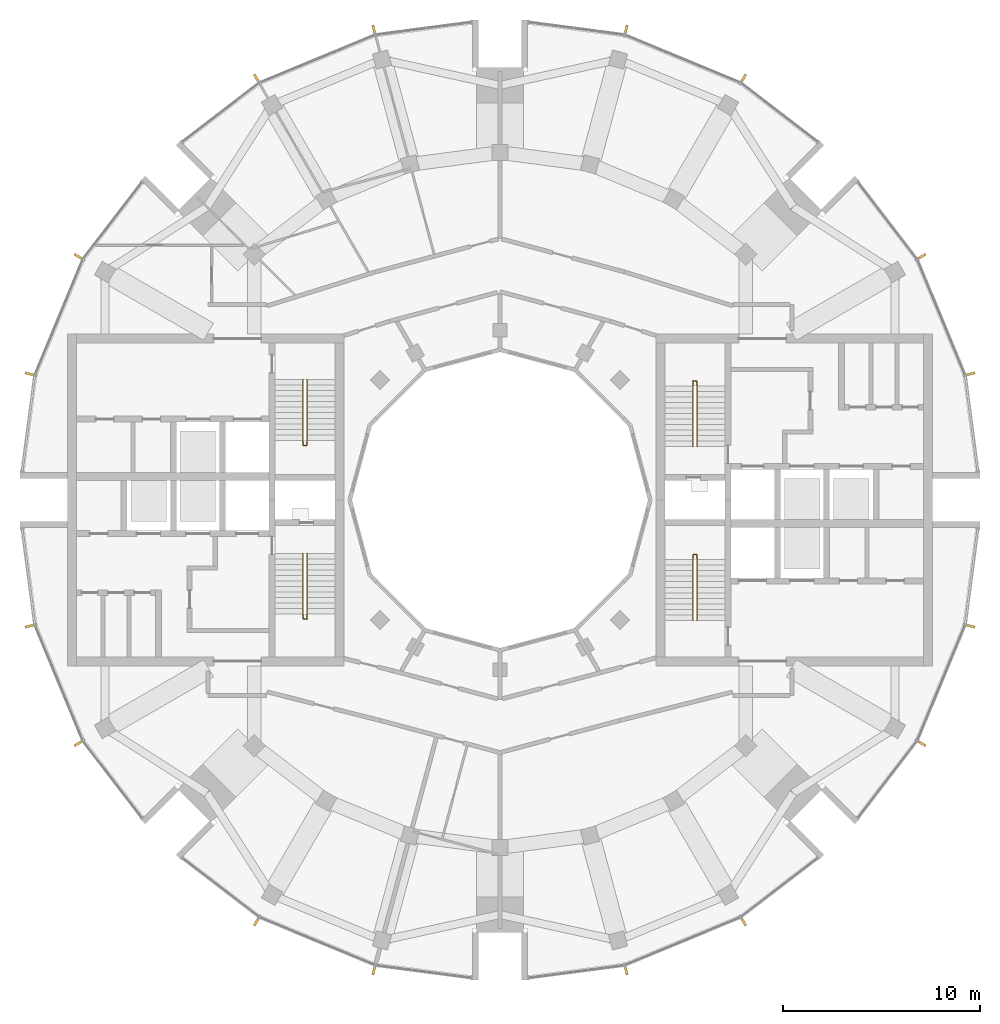
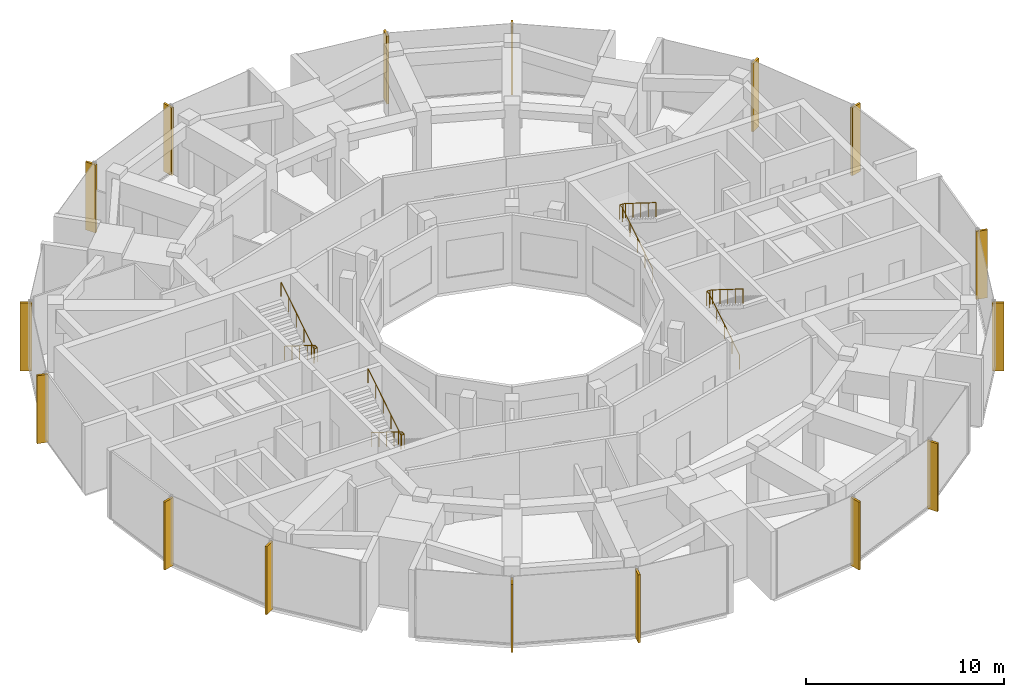
# One storey, part 13 of 14: 16 shading devices, 4 railings.
"""IFC4 building model written with IfcOpenShell, lengths in metres."""

from ifc_helpers import new_model, si_unit, direction, frame, origin, origin_2d, place, context, subcontext, project, spatial, rectangle, circle, extrude, material, material_profile, profile_set, type_object, element, save


model = new_model("IFC4")

# Units and contexts
model_context = context("Model", 3, precision=1e-05, world=origin(), true_north=direction((0.0, 1.0)))
body_context = subcontext(model_context, "Body", "Model", "MODEL_VIEW")
ifc_project = project(units=[si_unit("LENGTHUNIT", "METRE"), si_unit("AREAUNIT", "SQUARE_METRE"), si_unit("VOLUMEUNIT", "CUBIC_METRE"), si_unit("PLANEANGLEUNIT", "RADIAN"), si_unit("MASSUNIT", "GRAM", prefix="KILO")], contexts=[model_context])

# Site, building, storey
site_placement = place(None, origin())
site = spatial("IfcSite", under=ifc_project, at=site_placement, CompositionType="ELEMENT")
building_placement = place(site_placement, origin())
building = spatial("IfcBuilding", under=site, at=building_placement, Name="Torre Brocal", CompositionType="ELEMENT")
storey_placement = place(building_placement, frame((0.0, 0.0, 288.300048828125)))
storey = spatial("IfcBuildingStorey", under=building, at=storey_placement, Name="L66", CompositionType="ELEMENT", Elevation=288.300048828125)

# Shading devices
ifc_material_1 = material(Name="Aluminium, black anodised", Category="aluminium")
ifc_material_profile = material_profile(ifc_material_1, rectangle(XDim=0.1201171875, YDim=0.60009765625, at=origin_2d()), Name="FIN 120X600 4200 HIGH")
ifc_profile_set = profile_set([ifc_material_profile], Name="Aluminium, black anodised")
shading_device_type = type_object("IfcShadingDeviceType", Name="FIN 120X600 4200 HIGH", PredefinedType="USERDEFINED", material=ifc_profile_set)
for number, where, z_axis, x_axis, name in (
    (1, (103.760009765625, 81.366455078125, -0.150146484375), (0.0, 0.0, 1.0), (-0.258819045103, 0.965925826289, 0.0), "FIN"),
    (2, (101.302734375, 87.299072265625, -0.150146484375), (0.0, 0.0, 1.0), (-0.5, 0.866025403784, 0.0), "FIN"),
    (3, (92.299072265625, 96.302734375, -0.150146484375), (0.0, 0.0, 1.0), (-0.866025403784, 0.5, 0.0), "FIN"),
    (4, (86.366455078125, 98.760009765625, -0.150146484375), (0.0, 0.0, 1.0), (-0.965925826289, 0.258819045103, 0.0), "FIN"),
    (5, (73.633544921875, 98.760009765625, -0.150146484375), (0.0, 0.0, 1.0), (-0.965925826289, -0.258819045103, 0.0), "FIN"),
    (6, (67.700927734375, 96.302734375, -0.150146484375), (0.0, 0.0, 1.0), (-0.866025403784, -0.5, 0.0), "FIN"),
    (7, (58.697265625, 87.299072265625, -0.150146484375), (0.0, 0.0, 1.0), (-0.5, -0.866025403784, 0.0), "FIN"),
    (8, (56.239990234375, 81.366455078125, -0.150146484375), (0.0, 0.0, 1.0), (-0.258819045103, -0.965925826289, 0.0), "FIN"),
    (9, (56.239990234375, 68.633544921875, -0.150146484375), (0.0, 0.0, 1.0), (0.258819045103, -0.965925826289, 0.0), "FIN"),
    (10, (58.697265625, 62.700927734375, -0.150146484375), (0.0, 0.0, 1.0), (0.5, -0.866025403784, 0.0), "FIN"),
    (11, (67.700927734375, 53.697265625, -0.150146484375), (0.0, 0.0, 1.0), (0.866025403784, -0.5, 0.0), "FIN"),
    (12, (73.633544921875, 51.239990234375, -0.150146484375), (0.0, 0.0, 1.0), (0.965925826289, -0.258819045103, 0.0), "FIN"),
    (13, (86.366455078125, 51.239990234375, -0.150146484375), (0.0, 0.0, 1.0), (0.965925826289, 0.258819045103, 0.0), "FIN"),
    (14, (92.299072265625, 53.697265625, -0.150146484375), (0.0, 0.0, 1.0), (0.866025403784, 0.5, 0.0), "FIN"),
    (15, (101.302734375, 62.700927734375, -0.150146484375), (0.0, 0.0, 1.0), (0.5, 0.866025403784, 0.0), "FIN"),
    (16, (103.760009765625, 68.633544921875, -0.150146484375), (0.0, 0.0, 1.0), (0.258819045103, 0.965925826289, 0.0), "FIN"),
):
    element("IfcShadingDevice", number, at=place(storey_placement, frame(where, z_axis=z_axis, x_axis=x_axis)), inside=storey, type_object=shading_device_type, Name=name, ObjectType="FIN", PredefinedType="USERDEFINED", context=body_context, shape_type="SweptSolid", body=[
        extrude(rectangle(XDim=0.1201171875, YDim=0.60009765625, at=origin_2d()), origin(), (0.0, 0.0, 1.0), 4.2001953125),
    ])

# Railings
ifc_material_2 = material(Name="Stainless steel AISI 316", Category="steel")
railing_type = type_object("IfcRailingType", Name="STAIR HANDRAIL", PredefinedType="HANDRAIL", material=ifc_material_2)
railing_1_placement = place(storey_placement, frame((89.780029296875, 77.699951171875, 0.175048828125)))
element("IfcRailing", 17, at=railing_1_placement, inside=storey, type_object=railing_type, Name="HANDRAIL ST1", PredefinedType="HANDRAIL", context=body_context, shape_type="SweptSolid", body=[
    extrude(circle(Radius=0.02392578125, at=origin_2d()), frame((0.0, 0.0, 0.8759765625), z_axis=(0.0, 0.848028513186, 0.529950602248), x_axis=(-1.0, 0.0, 0.0)), (0.0, 0.0, 1.0), 3.632080078125),
    extrude(circle(Radius=0.02392578125, at=origin_2d()), frame((0.0, 3.080078125, 2.80078125), z_axis=(0.0, 1.0, 0.0), x_axis=(-1.0, 0.0, 0.0)), (0.0, 0.0, 1.0), 0.25),
    extrude(circle(Radius=0.02392578125, at=origin_2d()), frame((0.0, 3.330078125, 2.80078125), z_axis=(1.0, 0.0, 0.0), x_axis=(0.0, 1.0, 0.0)), (0.0, 0.0, 1.0), 0.18994140625),
    extrude(circle(Radius=0.02392578125, at=origin_2d()), frame((0.18994140625, 3.330078125, 2.80078125), z_axis=(0.0, -0.819156749665, 0.573569716318), x_axis=(1.0, 0.0, 0.0)), (0.0, 0.0, 1.0), 0.30517578125),
    extrude(circle(Radius=0.02392578125, at=origin_2d()), frame((0.18994140625, 3.080078125, 2.9755859375), z_axis=(0.0, -0.847998304005, 0.529998940003), x_axis=(1.0, 0.0, 0.0)), (0.0, 0.0, 1.0), 3.632080078125),
    extrude(circle(Radius=0.02099609375, at=origin_2d()), origin(), (0.0, 0.0, 1.0), 0.851806640625),
    extrude(circle(Radius=0.02099609375, at=origin_2d()), frame((0.0, 0.77001953125, 0.481201171875)), (0.0, 0.0, 1.0), 0.851806640625),
    extrude(circle(Radius=0.02099609375, at=origin_2d()), frame((0.0, 1.5400390625, 0.96240234375)), (0.0, 0.0, 1.0), 0.851806640625),
    extrude(circle(Radius=0.02099609375, at=origin_2d()), frame((0.0, 2.31005859375, 1.443603515625)), (0.0, 0.0, 1.0), 0.851806640625),
    extrude(circle(Radius=0.02099609375, at=origin_2d()), frame((0.0, 3.080078125, 1.9248046875)), (0.0, 0.0, 1.0), 0.851806640625),
    extrude(circle(Radius=0.02099609375, at=origin_2d()), frame((0.0, 3.330078125, 1.9248046875)), (0.0, 0.0, 1.0), 0.851806640625),
    extrude(circle(Radius=0.02099609375, at=origin_2d()), frame((0.18994140625, 3.330078125, 1.9248046875)), (0.0, 0.0, 1.0), 0.851806640625),
    extrude(circle(Radius=0.02099609375, at=origin_2d()), frame((0.18994140625, 3.080078125, 2.099853515625)), (0.0, 0.0, 1.0), 0.851806640625),
    extrude(circle(Radius=0.02099609375, at=origin_2d()), frame((0.18994140625, 2.31005859375, 2.5810546875)), (0.0, 0.0, 1.0), 0.851806640625),
    extrude(circle(Radius=0.02099609375, at=origin_2d()), frame((0.18994140625, 1.5400390625, 3.0625)), (0.0, 0.0, 1.0), 0.851806640625),
    extrude(circle(Radius=0.02099609375, at=origin_2d()), frame((0.18994140625, 0.77001953125, 3.543701171875)), (0.0, 0.0, 1.0), 0.851806640625),
    extrude(circle(Radius=0.02099609375, at=origin_2d()), frame((0.18994140625, 0.0, 4.02490234375)), (0.0, 0.0, 1.0), 0.851806640625),
])
railing_2_placement = place(storey_placement, frame((89.780029296875, 68.89990234375, 0.175048828125)))
element("IfcRailing", 18, at=railing_2_placement, inside=storey, type_object=railing_type, Name="HANDRAIL ST2", PredefinedType="HANDRAIL", context=body_context, shape_type="SweptSolid", body=[
    extrude(circle(Radius=0.02392578125, at=origin_2d()), frame((0.0, 0.0, 0.8759765625), z_axis=(0.0, 0.848028513186, 0.529950602248), x_axis=(-1.0, 0.0, 0.0)), (0.0, 0.0, 1.0), 3.632080078125),
    extrude(circle(Radius=0.02392578125, at=origin_2d()), frame((0.0, 3.080078125, 2.80078125), z_axis=(0.0, 1.0, 0.0), x_axis=(-1.0, 0.0, 0.0)), (0.0, 0.0, 1.0), 0.25),
    extrude(circle(Radius=0.02392578125, at=origin_2d()), frame((0.0, 3.330078125, 2.80078125), z_axis=(1.0, 0.0, 0.0), x_axis=(0.0, 1.0, 0.0)), (0.0, 0.0, 1.0), 0.18994140625),
    extrude(circle(Radius=0.02392578125, at=origin_2d()), frame((0.18994140625, 3.330078125, 2.80078125), z_axis=(0.0, -0.819156749665, 0.573569716318), x_axis=(1.0, 0.0, 0.0)), (0.0, 0.0, 1.0), 0.30517578125),
    extrude(circle(Radius=0.02392578125, at=origin_2d()), frame((0.18994140625, 3.080078125, 2.9755859375), z_axis=(0.0, -0.847998304005, 0.529998940003), x_axis=(1.0, 0.0, 0.0)), (0.0, 0.0, 1.0), 3.632080078125),
    extrude(circle(Radius=0.02099609375, at=origin_2d()), origin(), (0.0, 0.0, 1.0), 0.851806640625),
    extrude(circle(Radius=0.02099609375, at=origin_2d()), frame((0.0, 0.77001953125, 0.481201171875)), (0.0, 0.0, 1.0), 0.851806640625),
    extrude(circle(Radius=0.02099609375, at=origin_2d()), frame((0.0, 1.5400390625, 0.96240234375)), (0.0, 0.0, 1.0), 0.851806640625),
    extrude(circle(Radius=0.02099609375, at=origin_2d()), frame((0.0, 2.31005859375, 1.443603515625)), (0.0, 0.0, 1.0), 0.851806640625),
    extrude(circle(Radius=0.02099609375, at=origin_2d()), frame((0.0, 3.080078125, 1.9248046875)), (0.0, 0.0, 1.0), 0.851806640625),
    extrude(circle(Radius=0.02099609375, at=origin_2d()), frame((0.0, 3.330078125, 1.9248046875)), (0.0, 0.0, 1.0), 0.851806640625),
    extrude(circle(Radius=0.02099609375, at=origin_2d()), frame((0.18994140625, 3.330078125, 1.9248046875)), (0.0, 0.0, 1.0), 0.851806640625),
    extrude(circle(Radius=0.02099609375, at=origin_2d()), frame((0.18994140625, 3.080078125, 2.099853515625)), (0.0, 0.0, 1.0), 0.851806640625),
    extrude(circle(Radius=0.02099609375, at=origin_2d()), frame((0.18994140625, 2.31005859375, 2.5810546875)), (0.0, 0.0, 1.0), 0.851806640625),
    extrude(circle(Radius=0.02099609375, at=origin_2d()), frame((0.18994140625, 1.5400390625, 3.0625)), (0.0, 0.0, 1.0), 0.851806640625),
    extrude(circle(Radius=0.02099609375, at=origin_2d()), frame((0.18994140625, 0.77001953125, 3.543701171875)), (0.0, 0.0, 1.0), 0.851806640625),
    extrude(circle(Radius=0.02099609375, at=origin_2d()), frame((0.18994140625, 0.0, 4.02490234375)), (0.0, 0.0, 1.0), 0.851806640625),
])
railing_3_placement = place(storey_placement, frame((70.219970703125, 72.300048828125, 0.175048828125)))
element("IfcRailing", 19, at=railing_3_placement, inside=storey, type_object=railing_type, Name="HANDRAIL ST3", PredefinedType="HANDRAIL", context=body_context, shape_type="SweptSolid", body=[
    extrude(circle(Radius=0.02392578125, at=origin_2d()), frame((0.0, 0.0, 0.8759765625), z_axis=(0.0, -0.848028513186, 0.529950602248), x_axis=(1.0, 0.0, 0.0)), (0.0, 0.0, 1.0), 3.632080078125),
    extrude(circle(Radius=0.02392578125, at=origin_2d()), frame((0.0, -3.080078125, 2.80078125), z_axis=(0.0, -1.0, 0.0), x_axis=(1.0, 0.0, 0.0)), (0.0, 0.0, 1.0), 0.25),
    extrude(circle(Radius=0.02392578125, at=origin_2d()), frame((0.0, -3.330078125, 2.80078125), z_axis=(-1.0, 0.0, 0.0), x_axis=(0.0, -1.0, 0.0)), (0.0, 0.0, 1.0), 0.18994140625),
    extrude(circle(Radius=0.02392578125, at=origin_2d()), frame((-0.18994140625, -3.330078125, 2.80078125), z_axis=(0.0, 0.819156749665, 0.573569716318), x_axis=(-1.0, 0.0, 0.0)), (0.0, 0.0, 1.0), 0.30517578125),
    extrude(circle(Radius=0.02392578125, at=origin_2d()), frame((-0.18994140625, -3.080078125, 2.9755859375), z_axis=(0.0, 0.847998304005, 0.529998940003), x_axis=(-1.0, 0.0, 0.0)), (0.0, 0.0, 1.0), 3.632080078125),
    extrude(circle(Radius=0.02099609375, at=origin_2d()), origin(), (0.0, 0.0, 1.0), 0.851806640625),
    extrude(circle(Radius=0.02099609375, at=origin_2d()), frame((0.0, -0.77001953125, 0.481201171875)), (0.0, 0.0, 1.0), 0.851806640625),
    extrude(circle(Radius=0.02099609375, at=origin_2d()), frame((0.0, -1.5400390625, 0.96240234375)), (0.0, 0.0, 1.0), 0.851806640625),
    extrude(circle(Radius=0.02099609375, at=origin_2d()), frame((0.0, -2.31005859375, 1.443603515625)), (0.0, 0.0, 1.0), 0.851806640625),
    extrude(circle(Radius=0.02099609375, at=origin_2d()), frame((0.0, -3.080078125, 1.9248046875)), (0.0, 0.0, 1.0), 0.851806640625),
    extrude(circle(Radius=0.02099609375, at=origin_2d()), frame((0.0, -3.330078125, 1.9248046875)), (0.0, 0.0, 1.0), 0.851806640625),
    extrude(circle(Radius=0.02099609375, at=origin_2d()), frame((-0.18994140625, -3.330078125, 1.9248046875)), (0.0, 0.0, 1.0), 0.851806640625),
    extrude(circle(Radius=0.02099609375, at=origin_2d()), frame((-0.18994140625, -3.080078125, 2.099853515625)), (0.0, 0.0, 1.0), 0.851806640625),
    extrude(circle(Radius=0.02099609375, at=origin_2d()), frame((-0.18994140625, -2.31005859375, 2.5810546875)), (0.0, 0.0, 1.0), 0.851806640625),
    extrude(circle(Radius=0.02099609375, at=origin_2d()), frame((-0.18994140625, -1.5400390625, 3.0625)), (0.0, 0.0, 1.0), 0.851806640625),
    extrude(circle(Radius=0.02099609375, at=origin_2d()), frame((-0.18994140625, -0.77001953125, 3.543701171875)), (0.0, 0.0, 1.0), 0.851806640625),
    extrude(circle(Radius=0.02099609375, at=origin_2d()), frame((-0.18994140625, 0.0, 4.02490234375)), (0.0, 0.0, 1.0), 0.851806640625),
])
railing_4_placement = place(storey_placement, frame((70.219970703125, 81.10009765625, 0.175048828125)))
element("IfcRailing", 20, at=railing_4_placement, inside=storey, type_object=railing_type, Name="HANDRAIL ST4", PredefinedType="HANDRAIL", context=body_context, shape_type="SweptSolid", body=[
    extrude(circle(Radius=0.02392578125, at=origin_2d()), frame((0.0, 0.0, 0.8759765625), z_axis=(0.0, -0.848028513186, 0.529950602248), x_axis=(1.0, 0.0, 0.0)), (0.0, 0.0, 1.0), 3.632080078125),
    extrude(circle(Radius=0.02392578125, at=origin_2d()), frame((0.0, -3.080078125, 2.80078125), z_axis=(0.0, -1.0, 0.0), x_axis=(1.0, 0.0, 0.0)), (0.0, 0.0, 1.0), 0.25),
    extrude(circle(Radius=0.02392578125, at=origin_2d()), frame((0.0, -3.330078125, 2.80078125), z_axis=(-1.0, 0.0, 0.0), x_axis=(0.0, -1.0, 0.0)), (0.0, 0.0, 1.0), 0.18994140625),
    extrude(circle(Radius=0.02392578125, at=origin_2d()), frame((-0.18994140625, -3.330078125, 2.80078125), z_axis=(0.0, 0.819156749665, 0.573569716318), x_axis=(-1.0, 0.0, 0.0)), (0.0, 0.0, 1.0), 0.30517578125),
    extrude(circle(Radius=0.02392578125, at=origin_2d()), frame((-0.18994140625, -3.080078125, 2.9755859375), z_axis=(0.0, 0.847998304005, 0.529998940003), x_axis=(-1.0, 0.0, 0.0)), (0.0, 0.0, 1.0), 3.632080078125),
    extrude(circle(Radius=0.02099609375, at=origin_2d()), origin(), (0.0, 0.0, 1.0), 0.851806640625),
    extrude(circle(Radius=0.02099609375, at=origin_2d()), frame((0.0, -0.77001953125, 0.481201171875)), (0.0, 0.0, 1.0), 0.851806640625),
    extrude(circle(Radius=0.02099609375, at=origin_2d()), frame((0.0, -1.5400390625, 0.96240234375)), (0.0, 0.0, 1.0), 0.851806640625),
    extrude(circle(Radius=0.02099609375, at=origin_2d()), frame((0.0, -2.31005859375, 1.443603515625)), (0.0, 0.0, 1.0), 0.851806640625),
    extrude(circle(Radius=0.02099609375, at=origin_2d()), frame((0.0, -3.080078125, 1.9248046875)), (0.0, 0.0, 1.0), 0.851806640625),
    extrude(circle(Radius=0.02099609375, at=origin_2d()), frame((0.0, -3.330078125, 1.9248046875)), (0.0, 0.0, 1.0), 0.851806640625),
    extrude(circle(Radius=0.02099609375, at=origin_2d()), frame((-0.18994140625, -3.330078125, 1.9248046875)), (0.0, 0.0, 1.0), 0.851806640625),
    extrude(circle(Radius=0.02099609375, at=origin_2d()), frame((-0.18994140625, -3.080078125, 2.099853515625)), (0.0, 0.0, 1.0), 0.851806640625),
    extrude(circle(Radius=0.02099609375, at=origin_2d()), frame((-0.18994140625, -2.31005859375, 2.5810546875)), (0.0, 0.0, 1.0), 0.851806640625),
    extrude(circle(Radius=0.02099609375, at=origin_2d()), frame((-0.18994140625, -1.5400390625, 3.0625)), (0.0, 0.0, 1.0), 0.851806640625),
    extrude(circle(Radius=0.02099609375, at=origin_2d()), frame((-0.18994140625, -0.77001953125, 3.543701171875)), (0.0, 0.0, 1.0), 0.851806640625),
    extrude(circle(Radius=0.02099609375, at=origin_2d()), frame((-0.18994140625, 0.0, 4.02490234375)), (0.0, 0.0, 1.0), 0.851806640625),
])

save(model, "model.ifc")
